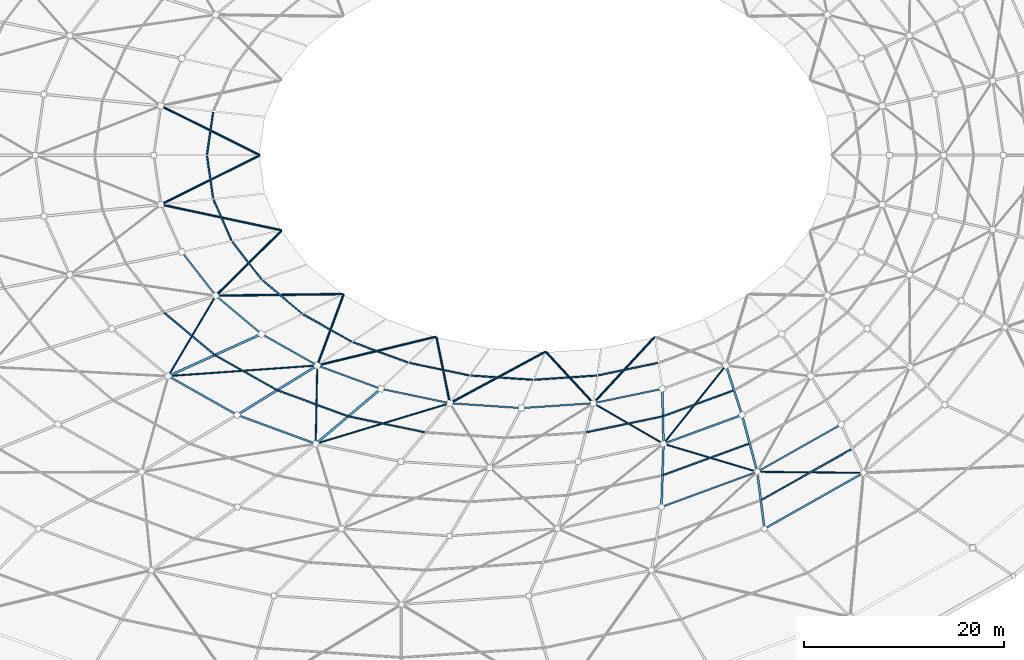
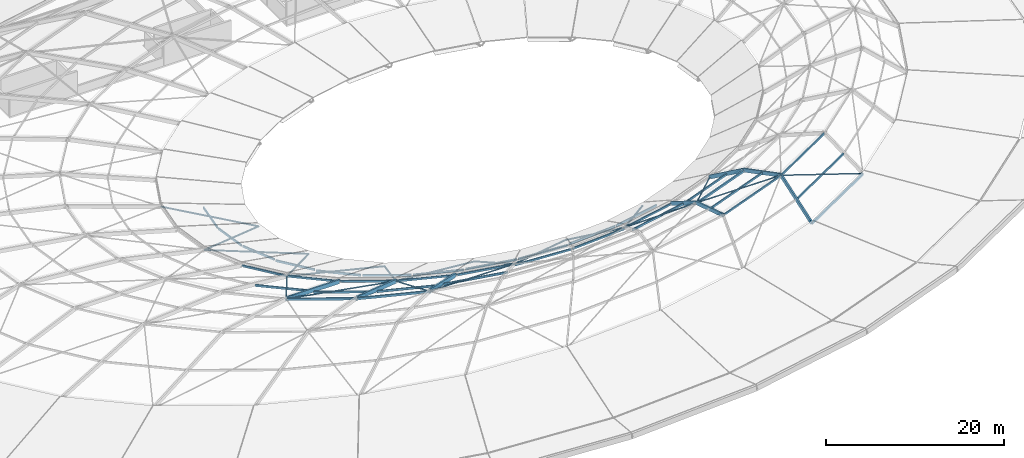
# One storey, part 4 of 30: 60 members.
"""IFC4 building model written with IfcOpenShell, lengths in metres."""

from ifc_helpers import new_model, si_unit, direction, frame, origin, origin_2d, place, context, subcontext, project, spatial, rectangle, hollow_rectangle, hollow_circle, extrude, material, material_profile, profile_set, type_object, element, save


model = new_model("IFC4")

# Units and contexts
model_context = context("Model", 3, precision=1e-05, world=origin(), true_north=direction((0.0, 1.0)))
body_context = subcontext(model_context, "Body", "Model", "MODEL_VIEW")
ifc_project = project(units=[si_unit("LENGTHUNIT", "METRE"), si_unit("AREAUNIT", "SQUARE_METRE"), si_unit("VOLUMEUNIT", "CUBIC_METRE"), si_unit("PLANEANGLEUNIT", "RADIAN"), si_unit("MASSUNIT", "GRAM", prefix="KILO")], contexts=[model_context])

# Site, building, storey
site_placement = place(None, origin())
site = spatial("IfcSite", under=ifc_project, at=site_placement, CompositionType="ELEMENT")
building_placement = place(site_placement, origin())
building = spatial("IfcBuilding", under=site, at=building_placement, Name="Namkhue Oval Health Centre", CompositionType="ELEMENT")
storey_placement = place(building_placement, frame((0.0, 0.0, 26.39990234375)))
storey = spatial("IfcBuildingStorey", under=building, at=storey_placement, Name="RF", CompositionType="ELEMENT", Elevation=26.39990234375)

# Members
ifc_material_1 = material(Name="Structural steel EN 10025-2 S355JR (TCVN 5575:2024)", Category="steel")
ifc_material_profile_1 = material_profile(ifc_material_1, hollow_circle(Radius=0.084228515625, WallThickness=0.008056640625, at=origin_2d()), Name="CHS 168.3x8")
ifc_profile_set_1 = profile_set([ifc_material_profile_1], Name="Structural steel EN 10025-2 S355JR (TCVN 5575:2024)")
member_type_1 = type_object("IfcMemberType", Name="DIAGONAL BRACE CHS 168", PredefinedType="BRACE", material=ifc_profile_set_1)
member_1_placement = place(storey_placement, frame((132.497314453125, 27.688720703125, 3.789306640625), z_axis=(-0.952219233501, 0.009190709665, 0.30527702535), x_axis=(-0.009651434537, -0.999953423821, 0.0)))
element("IfcMember", 1, at=member_1_placement, inside=storey, type_object=member_type_1, Name="Gridshell Diagonal Brace K2-28", PredefinedType="BRACE", context=body_context, shape_type="SweptSolid", body=[
    extrude(hollow_circle(Radius=0.084228515625, WallThickness=0.008056640625, at=origin_2d()), origin(), (0.0, 0.0, 1.0), 11.0771484375),
])
member_2_placement = place(storey_placement, frame((121.892822265625, 27.79931640625, 7.173583984375), z_axis=(-0.934735197728, 0.279331775994, -0.219644870299), x_axis=(-0.286323834173, -0.958132904134, 0.0)))
element("IfcMember", 2, at=member_2_placement, inside=storey, type_object=member_type_1, Name="Gridshell Diagonal Brace K3-27", PredefinedType="BRACE", context=body_context, shape_type="SweptSolid", body=[
    extrude(hollow_circle(Radius=0.084228515625, WallThickness=0.008056640625, at=origin_2d()), origin(), (0.0, 0.0, 1.0), 9.955810546875),
])
member_3_placement = place(storey_placement, frame((63.139892578125, 37.373046875, 4.9697265625), z_axis=(0.477955197991, 0.808803464412, -0.342630682614), x_axis=(-0.860914463664, 0.508749728505, 0.0)))
element("IfcMember", 3, at=member_3_placement, inside=storey, type_object=member_type_1, Name="Gridshell Diagonal Brace K4-20", PredefinedType="BRACE", context=body_context, shape_type="SweptSolid", body=[
    extrude(hollow_circle(Radius=0.084228515625, WallThickness=0.008056640625, at=origin_2d()), origin(), (0.0, 0.0, 1.0), 9.863037109375),
])
member_4_placement = place(storey_placement, frame((63.15478515625, 37.35107421875, 4.973388671875), z_axis=(0.972510561713, 0.069343701808, -0.222294080837), x_axis=(-0.071123229027, 0.997467536461, 0.0)))
element("IfcMember", 4, at=member_4_placement, inside=storey, type_object=member_type_1, Name="Gridshell Diagonal Brace K4-21", PredefinedType="BRACE", context=body_context, shape_type="SweptSolid", body=[
    extrude(hollow_circle(Radius=0.084228515625, WallThickness=0.008056640625, at=origin_2d()), origin(), (0.0, 0.0, 1.0), 15.234130859375),
])
member_5_placement = place(storey_placement, frame((77.842041015625, 30.6162109375, 4.968017578125), z_axis=(0.018506450349, 0.916934079653, -0.39860933866), x_axis=(-0.999796386125, 0.020178857553, 0.0)))
element("IfcMember", 5, at=member_5_placement, inside=storey, type_object=member_type_1, Name="Gridshell Diagonal Brace K4-22", PredefinedType="BRACE", context=body_context, shape_type="SweptSolid", body=[
    extrude(hollow_circle(Radius=0.084228515625, WallThickness=0.008056640625, at=origin_2d()), origin(), (0.0, 0.0, 1.0), 8.469482421875),
])
member_6_placement = place(storey_placement, frame((77.869384765625, 30.597412109375, 4.972900390625), z_axis=(0.930125798411, 0.281300193879, -0.236085154243), x_axis=(-0.289483197646, 0.957183095484, 0.0)))
element("IfcMember", 6, at=member_6_placement, inside=storey, type_object=member_type_1, Name="Gridshell Diagonal Brace K4-23", PredefinedType="BRACE", context=body_context, shape_type="SweptSolid", body=[
    extrude(hollow_circle(Radius=0.084228515625, WallThickness=0.008056640625, at=origin_2d()), origin(), (0.0, 0.0, 1.0), 14.34130859375),
])
member_7_placement = place(storey_placement, frame((112.53466796875, 30.602783203125, 4.968505859375), z_axis=(-0.797658632058, 0.461972035014, -0.387714515551), x_axis=(-0.501174123411, -0.865346461265, 0.0)))
element("IfcMember", 7, at=member_7_placement, inside=storey, type_object=member_type_1, Name="Gridshell Diagonal Brace K4-26", PredefinedType="BRACE", context=body_context, shape_type="SweptSolid", body=[
    extrude(hollow_circle(Radius=0.084228515625, WallThickness=0.008056640625, at=origin_2d()), origin(), (0.0, 0.0, 1.0), 8.709228515625),
])
member_8_placement = place(storey_placement, frame((112.576171875, 30.611083984375, 4.970458984375), z_axis=(0.590649952066, 0.740020125216, -0.321718585723), x_axis=(-0.781572146563, 0.623814860128, 0.0)))
element("IfcMember", 8, at=member_8_placement, inside=storey, type_object=member_type_1, Name="Gridshell Diagonal Brace K4-27", PredefinedType="BRACE", context=body_context, shape_type="SweptSolid", body=[
    extrude(hollow_circle(Radius=0.084228515625, WallThickness=0.008056640625, at=origin_2d()), origin(), (0.0, 0.0, 1.0), 10.508056640625),
])
ifc_material_profile_2 = material_profile(ifc_material_1, hollow_circle(Radius=0.109619140625, WallThickness=0.010009765625, at=origin_2d()), Name="CHS 219.1x10")
ifc_profile_set_2 = profile_set([ifc_material_profile_2], Name="Structural steel EN 10025-2 S355JR (TCVN 5575:2024)")
member_type_2 = type_object("IfcMemberType", Name="DIAGONAL BRACE CHS 219", PredefinedType="BRACE", material=ifc_profile_set_2)
for number, where, z_axis, x_axis, name in (
    (9, (62.411376953125, 64.312255859375, 1.57177734375), (0.860090732978, -0.42777518227, -0.2779430238), (0.445321953054, 0.89537051444, 0.0), "Gridshell Diagonal Brace K5-16"),
    (10, (62.411376953125, 54.48779296875, 1.57177734375), (0.860090732978, 0.42777518227, -0.2779430238), (-0.445321953054, 0.89537051444, 0.0), "Gridshell Diagonal Brace K5-17"),
):
    element("IfcMember", number, at=place(storey_placement, frame(where, z_axis=z_axis, x_axis=x_axis)), inside=storey, type_object=member_type_2, Name=name, PredefinedType="BRACE", context=body_context, shape_type="SweptSolid", body=[
        extrude(hollow_circle(Radius=0.109619140625, WallThickness=0.010009765625, at=origin_2d()), origin(), (0.0, 0.0, 1.0), 11.453125),
    ])
member_9_placement = place(storey_placement, frame((62.4140625, 54.468994140625, 1.572509765625), z_axis=(0.946691185803, -0.202025672522, -0.250921155674), x_axis=(0.20870258417, 0.977979156915, 0.0)))
element("IfcMember", 11, at=member_9_placement, inside=storey, type_object=member_type_2, Name="Gridshell Diagonal Brace K5-18", PredefinedType="BRACE", context=body_context, shape_type="SweptSolid", body=[
    extrude(hollow_circle(Radius=0.109619140625, WallThickness=0.010009765625, at=origin_2d()), origin(), (0.0, 0.0, 1.0), 12.6923828125),
])
member_10_placement = place(storey_placement, frame((67.888671875, 45.39453125, 1.5703125), z_axis=(0.671773589143, 0.665062614308, -0.326208467058), x_axis=(-0.703548210003, 0.71064753303, 0.0)))
element("IfcMember", 12, at=member_10_placement, inside=storey, type_object=member_type_2, Name="Gridshell Diagonal Brace K5-19", PredefinedType="BRACE", context=body_context, shape_type="SweptSolid", body=[
    extrude(hollow_circle(Radius=0.109619140625, WallThickness=0.010009765625, at=origin_2d()), origin(), (0.0, 0.0, 1.0), 9.749755859375),
])
member_11_placement = place(storey_placement, frame((67.8974609375, 45.375, 1.57275390625), z_axis=(0.969937280687, 0.012499095743, -0.243033833323), x_axis=(-0.012885429099, 0.999916979412, 0.0)))
element("IfcMember", 13, at=member_11_placement, inside=storey, type_object=member_type_2, Name="Gridshell Diagonal Brace K5-20", PredefinedType="BRACE", context=body_context, shape_type="SweptSolid", body=[
    extrude(hollow_circle(Radius=0.109619140625, WallThickness=0.010009765625, at=origin_2d()), origin(), (0.0, 0.0, 1.0), 13.1064453125),
])
member_12_placement = place(storey_placement, frame((78.009033203125, 38.435546875, 1.568603515625), z_axis=(0.319994309193, 0.86433942214, -0.387970366676), x_axis=(-0.937795186464, 0.347188980591, 0.0)))
element("IfcMember", 14, at=member_12_placement, inside=storey, type_object=member_type_2, Name="Gridshell Diagonal Brace K5-21", PredefinedType="BRACE", context=body_context, shape_type="SweptSolid", body=[
    extrude(hollow_circle(Radius=0.109619140625, WallThickness=0.010009765625, at=origin_2d()), origin(), (0.0, 0.0, 1.0), 8.188720703125),
])
member_13_placement = place(storey_placement, frame((78.027587890625, 38.41650390625, 1.572509765625), z_axis=(0.94025034031, 0.227787808367, -0.253065232511), x_axis=(-0.235451953745, 0.971885989959, 0.0)))
element("IfcMember", 15, at=member_13_placement, inside=storey, type_object=member_type_2, Name="Gridshell Diagonal Brace K5-22", PredefinedType="BRACE", context=body_context, shape_type="SweptSolid", body=[
    extrude(hollow_circle(Radius=0.109619140625, WallThickness=0.010009765625, at=origin_2d()), origin(), (0.0, 0.0, 1.0), 12.5849609375),
])
member_14_placement = place(storey_placement, frame((91.23095703125, 34.666748046875, 1.5673828125), z_axis=(-0.179615966387, 0.886433499868, -0.426583819348), x_axis=(-0.98008229015, -0.198591803796, 0.0)))
element("IfcMember", 16, at=member_14_placement, inside=storey, type_object=member_type_2, Name="Gridshell Diagonal Brace K5-23", PredefinedType="BRACE", context=body_context, shape_type="SweptSolid", body=[
    extrude(hollow_circle(Radius=0.109619140625, WallThickness=0.010009765625, at=origin_2d()), origin(), (0.0, 0.0, 1.0), 7.44189453125),
])
member_15_placement = place(storey_placement, frame((91.26171875, 34.65380859375, 1.571533203125), z_axis=(0.844311968521, 0.45534124744, -0.282491855091), x_axis=(-0.474674899883, 0.880161200816, 0.0)))
element("IfcMember", 17, at=member_15_placement, inside=storey, type_object=member_type_2, Name="Gridshell Diagonal Brace K5-24", PredefinedType="BRACE", context=body_context, shape_type="SweptSolid", body=[
    extrude(hollow_circle(Radius=0.109619140625, WallThickness=0.010009765625, at=origin_2d()), origin(), (0.0, 0.0, 1.0), 11.26708984375),
])
member_16_placement = place(storey_placement, frame((105.545166015625, 34.66015625, 1.567626953125), z_axis=(-0.617379750339, 0.668466649101, -0.414722296134), x_axis=(-0.734620689477, -0.678478033979, 0.0)))
element("IfcMember", 18, at=member_16_placement, inside=storey, type_object=member_type_2, Name="Gridshell Diagonal Brace K5-25", PredefinedType="BRACE", context=body_context, shape_type="SweptSolid", body=[
    extrude(hollow_circle(Radius=0.109619140625, WallThickness=0.010009765625, at=origin_2d()), origin(), (0.0, 0.0, 1.0), 7.65576171875),
])
member_17_placement = place(storey_placement, frame((105.5830078125, 34.660888671875, 1.570068359375), z_axis=(0.640028871218, 0.692362780198, -0.333161859468), x_axis=(-0.734314420642, 0.678809495836, 0.0)))
element("IfcMember", 19, at=member_17_placement, inside=storey, type_object=member_type_2, Name="Gridshell Diagonal Brace K5-26", PredefinedType="BRACE", context=body_context, shape_type="SweptSolid", body=[
    extrude(hollow_circle(Radius=0.109619140625, WallThickness=0.010009765625, at=origin_2d()), origin(), (0.0, 0.0, 1.0), 9.544677734375),
])
ifc_material_2 = material(Name="Glulam timber GL28h", Category="wood")
ifc_material_profile_3 = material_profile(ifc_material_2, rectangle(XDim=0.199951171875, YDim=0.47998046875, at=origin_2d()), Name="GL28h 200x480")
ifc_profile_set_3 = profile_set([ifc_material_profile_3], Name="Glulam timber GL28h")
member_type_3 = type_object("IfcMemberType", Name="GRIDSHELL ARCH RIB GL28H 200X480", PredefinedType="USERDEFINED", material=ifc_profile_set_3)
member_18_placement = place(storey_placement, frame((112.36083984375, 24.27783203125, 7.2001953125), z_axis=(0.029575150119, 0.943848926635, -0.329050929471), x_axis=(-0.999509431928, 0.031319251058, 0.0)))
element("IfcMember", 20, at=member_18_placement, inside=storey, type_object=member_type_3, Name="Gridshell Glulam Arch Rib K3-27", ObjectType="ARCH_SEGMENT", PredefinedType="USERDEFINED", context=body_context, shape_type="SweptSolid", body=[
    extrude(rectangle(XDim=0.199951171875, YDim=0.47998046875, at=origin_2d()), origin(), (0.0, 0.0, 1.0), 6.6865234375),
])
member_19_placement = place(storey_placement, frame((112.55859375, 30.5888671875, 5.0), z_axis=(-0.016486506023, 0.849962574262, -0.526585052459), x_axis=(-0.999811936236, -0.019393095658, 0.0)))
element("IfcMember", 21, at=member_19_placement, inside=storey, type_object=member_type_3, Name="Gridshell Glulam Arch Rib K4-27", ObjectType="ARCH_SEGMENT", PredefinedType="USERDEFINED", context=body_context, shape_type="SweptSolid", body=[
    extrude(rectangle(XDim=0.199951171875, YDim=0.47998046875, at=origin_2d()), origin(), (0.0, 0.0, 1.0), 6.45654296875),
])
member_20_placement = place(storey_placement, frame((122.640869140625, 22.111083984375, 3.800048828125), z_axis=(-0.108124914196, 0.852973212568, 0.51063264836), x_axis=(-0.992061197145, -0.125756038101, 0.0)))
element("IfcMember", 22, at=member_20_placement, inside=storey, type_object=member_type_3, Name="Gridshell Glulam Arch Rib K2-28", ObjectType="ARCH_SEGMENT", PredefinedType="USERDEFINED", context=body_context, shape_type="SweptSolid", body=[
    extrude(rectangle(XDim=0.199951171875, YDim=0.47998046875, at=origin_2d()), origin(), (0.0, 0.0, 1.0), 6.65869140625),
])
member_21_placement = place(storey_placement, frame((121.9208984375, 27.790771484375, 7.2001953125), z_axis=(-0.242156092396, 0.904731249332, -0.350459403352), x_axis=(-0.965996770505, -0.258554132385, 0.0)))
element("IfcMember", 23, at=member_21_placement, inside=storey, type_object=member_type_3, Name="Gridshell Glulam Arch Rib K3-28", ObjectType="ARCH_SEGMENT", PredefinedType="USERDEFINED", context=body_context, shape_type="SweptSolid", body=[
    extrude(rectangle(XDim=0.199951171875, YDim=0.47998046875, at=origin_2d()), origin(), (0.0, 0.0, 1.0), 6.278076171875),
])
member_22_placement = place(storey_placement, frame((120.400634765625, 33.470703125, 5.0), z_axis=(-0.257835485953, 0.79585167544, -0.547851232436), x_axis=(-0.951320489233, -0.30820338539, 0.0)))
element("IfcMember", 24, at=member_22_placement, inside=storey, type_object=member_type_3, Name="Gridshell Glulam Arch Rib K4-28", ObjectType="ARCH_SEGMENT", PredefinedType="USERDEFINED", context=body_context, shape_type="SweptSolid", body=[
    extrude(rectangle(XDim=0.199951171875, YDim=0.47998046875, at=origin_2d()), origin(), (0.0, 0.0, 1.0), 6.205810546875),
])
ifc_material_profile_4 = material_profile(ifc_material_2, rectangle(XDim=0.219970703125, YDim=0.52001953125, at=origin_2d()), Name="GL28h 220x520")
ifc_profile_set_4 = profile_set([ifc_material_profile_4], Name="Glulam timber GL28h")
member_type_4 = type_object("IfcMemberType", Name="GRIDSHELL ARCH RIB GL28H 220X520", PredefinedType="USERDEFINED", material=ifc_profile_set_4)
member_23_placement = place(storey_placement, frame((63.125732421875, 37.348876953125, 5.0), z_axis=(0.864854389801, 0.390206260579, -0.315857497374), x_axis=(-0.411260043784, 0.91151806147, 0.0)))
element("IfcMember", 25, at=member_23_placement, inside=storey, type_object=member_type_4, Name="Gridshell Glulam Arch Rib K4-21", ObjectType="ARCH_SEGMENT", PredefinedType="USERDEFINED", context=body_context, shape_type="SweptSolid", body=[
    extrude(rectangle(XDim=0.219970703125, YDim=0.52001953125, at=origin_2d()), origin(), (0.0, 0.0, 1.0), 10.76416015625),
])
member_24_placement = place(storey_placement, frame((69.999267578125, 33.470703125, 5.0), z_axis=(0.800198011908, 0.494003655311, -0.340064009089), x_axis=(-0.525310986388, 0.850910317002, 0.0)))
element("IfcMember", 26, at=member_24_placement, inside=storey, type_object=member_type_4, Name="Gridshell Glulam Arch Rib K4-22", ObjectType="ARCH_SEGMENT", PredefinedType="USERDEFINED", context=body_context, shape_type="SweptSolid", body=[
    extrude(rectangle(XDim=0.219970703125, YDim=0.52001953125, at=origin_2d()), origin(), (0.0, 0.0, 1.0), 9.997802734375),
])
member_25_placement = place(storey_placement, frame((77.841552734375, 30.5888671875, 5.0), z_axis=(0.709867909534, 0.598739619906, -0.370942608187), x_axis=(-0.64473793689, 0.764403684407, 0.0)))
element("IfcMember", 27, at=member_25_placement, inside=storey, type_object=member_type_4, Name="Gridshell Glulam Arch Rib K4-23", ObjectType="ARCH_SEGMENT", PredefinedType="USERDEFINED", context=body_context, shape_type="SweptSolid", body=[
    extrude(rectangle(XDim=0.219970703125, YDim=0.52001953125, at=origin_2d()), origin(), (0.0, 0.0, 1.0), 9.16552734375),
])
ifc_material_profile_5 = material_profile(ifc_material_1, hollow_rectangle(XDim=0.14990234375, YDim=0.25, WallThickness=0.008056640625, at=origin_2d()), Name="RHS 150x250x8")
ifc_profile_set_5 = profile_set([ifc_material_profile_5], Name="Structural steel EN 10025-2 S355JR (TCVN 5575:2024)")
member_type_5 = type_object("IfcMemberType", Name="GRIDSHELL HOOP PURLIN RHS 150X250", PredefinedType="PURLIN", material=ifc_profile_set_5)
member_26_placement = place(storey_placement, frame((112.417236328125, 24.298583984375, 7.16650390625), z_axis=(0.938629376029, 0.344927375624, 0.0), x_axis=(-0.344927375624, 0.938629376029, 0.0)))
element("IfcMember", 28, at=member_26_placement, inside=storey, type_object=member_type_5, Name="Gridshell Hoop Purlin K3-27", PredefinedType="PURLIN", context=body_context, shape_type="SweptSolid", body=[
    extrude(hollow_rectangle(XDim=0.14990234375, YDim=0.25, WallThickness=0.008056640625, at=origin_2d()), origin(), (0.0, 0.0, 1.0), 10.06494140625),
])
member_27_placement = place(storey_placement, frame((121.97314453125, 27.8203125, 7.1611328125), z_axis=(0.870935888809, 0.491396660127, 0.0), x_axis=(-0.491396660127, 0.870935888809, 0.0)))
element("IfcMember", 29, at=member_27_placement, inside=storey, type_object=member_type_5, Name="Gridshell Hoop Purlin K3-28", PredefinedType="PURLIN", context=body_context, shape_type="SweptSolid", body=[
    extrude(hollow_rectangle(XDim=0.14990234375, YDim=0.25, WallThickness=0.008056640625, at=origin_2d()), origin(), (0.0, 0.0, 1.0), 9.5009765625),
])
member_28_placement = place(storey_placement, frame((64.511962890625, 49.69189453125, 1.60009765625), z_axis=(0.613784343626, -0.789473735801, 0.0), x_axis=(0.789473735801, 0.613784343626, 0.0)))
element("IfcMember", 30, at=member_28_placement, inside=storey, type_object=member_type_5, Name="Gridshell Hoop Purlin K5-19", PredefinedType="PURLIN", context=body_context, shape_type="SweptSolid", body=[
    extrude(hollow_rectangle(XDim=0.14990234375, YDim=0.25, WallThickness=0.008056640625, at=origin_2d()), origin(), (0.0, 0.0, 1.0), 5.408447265625),
])
member_29_placement = place(storey_placement, frame((67.914306640625, 45.336181640625, 1.60009765625), z_axis=(0.766559432201, -0.642173369818, 0.0), x_axis=(0.642173369818, 0.766559432201, 0.0)))
element("IfcMember", 31, at=member_29_placement, inside=storey, type_object=member_type_5, Name="Gridshell Hoop Purlin K5-20", PredefinedType="PURLIN", context=body_context, shape_type="SweptSolid", body=[
    extrude(hollow_rectangle(XDim=0.14990234375, YDim=0.25, WallThickness=0.008056640625, at=origin_2d()), origin(), (0.0, 0.0, 1.0), 5.837158203125),
])
member_30_placement = place(storey_placement, frame((72.4873046875, 41.51953125, 1.593505859375), z_axis=(0.870938297401, -0.491392391191, 0.0), x_axis=(0.491392391191, 0.870938297401, 0.0)))
element("IfcMember", 32, at=member_30_placement, inside=storey, type_object=member_type_5, Name="Gridshell Hoop Purlin K5-21", PredefinedType="PURLIN", context=body_context, shape_type="SweptSolid", body=[
    extrude(hollow_rectangle(XDim=0.14990234375, YDim=0.25, WallThickness=0.008056640625, at=origin_2d()), origin(), (0.0, 0.0, 1.0), 6.26904296875),
])
member_31_placement = place(storey_placement, frame((78.055908203125, 38.388916015625, 1.58642578125), z_axis=(0.938627028123, -0.344933764769, 0.0), x_axis=(0.344933764769, 0.938627028123, 0.0)))
element("IfcMember", 33, at=member_31_placement, inside=storey, type_object=member_type_5, Name="Gridshell Hoop Purlin K5-22", PredefinedType="PURLIN", context=body_context, shape_type="SweptSolid", body=[
    extrude(hollow_rectangle(XDim=0.14990234375, YDim=0.25, WallThickness=0.008056640625, at=origin_2d()), origin(), (0.0, 0.0, 1.0), 6.643310546875),
])
member_32_placement = place(storey_placement, frame((84.406494140625, 36.064453125, 1.5791015625), z_axis=(0.978937524418, -0.204160043313, 0.0), x_axis=(0.204160043313, 0.978937524418, 0.0)))
element("IfcMember", 34, at=member_32_placement, inside=storey, type_object=member_type_5, Name="Gridshell Hoop Purlin K5-23", PredefinedType="PURLIN", context=body_context, shape_type="SweptSolid", body=[
    extrude(hollow_rectangle(XDim=0.14990234375, YDim=0.25, WallThickness=0.008056640625, at=origin_2d()), origin(), (0.0, 0.0, 1.0), 6.916748046875),
])
for number, where, z_axis, x_axis, name in (
    (35, (91.296142578125, 34.635986328125, 1.425537109375), (0.997716855891, -0.067535734769, 0.0), (0.067535734769, 0.997716855891, 0.0), "Gridshell Hoop Purlin K5-24"),
    (36, (98.4599609375, 34.1591796875, 1.436767578125), (0.997716855891, 0.067535734769, 0.0), (-0.067535734769, 0.997716855891, 0.0), "Gridshell Hoop Purlin K5-25"),
):
    element("IfcMember", number, at=place(storey_placement, frame(where, z_axis=z_axis, x_axis=x_axis)), inside=storey, type_object=member_type_5, Name=name, PredefinedType="PURLIN", context=body_context, shape_type="SweptSolid", body=[
        extrude(hollow_rectangle(XDim=0.14990234375, YDim=0.25, WallThickness=0.008056640625, at=origin_2d()), origin(), (0.0, 0.0, 1.0), 7.06005859375),
    ])
member_33_placement = place(storey_placement, frame((105.62255859375, 34.65234375, 1.556640625), z_axis=(0.978936053101, 0.204167098083, 0.0), x_axis=(-0.204167098083, 0.978936053101, 0.0)))
element("IfcMember", 37, at=member_33_placement, inside=storey, type_object=member_type_5, Name="Gridshell Hoop Purlin K5-26", PredefinedType="PURLIN", context=body_context, shape_type="SweptSolid", body=[
    extrude(hollow_rectangle(XDim=0.14990234375, YDim=0.25, WallThickness=0.008056640625, at=origin_2d()), origin(), (0.0, 0.0, 1.0), 6.91650390625),
])
ifc_material_profile_6 = material_profile(ifc_material_1, hollow_rectangle(XDim=0.179931640625, YDim=0.300048828125, WallThickness=0.010009765625, at=origin_2d()), Name="RHS 180x300x10")
ifc_profile_set_6 = profile_set([ifc_material_profile_6], Name="Structural steel EN 10025-2 S355JR (TCVN 5575:2024)")
member_type_6 = type_object("IfcMemberType", Name="GRIDSHELL HOOP PURLIN RHS 180X300", PredefinedType="PURLIN", material=ifc_profile_set_6)
member_34_placement = place(storey_placement, frame((122.693115234375, 22.140625, 3.730224609375), z_axis=(0.870936718955, 0.4913951888, 0.0), x_axis=(-0.4913951888, 0.870936718955, 0.0)))
element("IfcMember", 38, at=member_34_placement, inside=storey, type_object=member_type_6, Name="Gridshell Hoop Purlin K2-28", PredefinedType="PURLIN", context=body_context, shape_type="SweptSolid", body=[
    extrude(hollow_rectangle(XDim=0.179931640625, YDim=0.300048828125, WallThickness=0.010009765625, at=origin_2d()), origin(), (0.0, 0.0, 1.0), 11.22998046875),
])
member_35_placement = place(storey_placement, frame((63.177978515625, 37.3193359375, 4.96533203125), z_axis=(0.870928830788, -0.49140916933, 0.0), x_axis=(0.49140916933, 0.870928830788, 0.0)))
element("IfcMember", 39, at=member_35_placement, inside=storey, type_object=member_type_6, Name="Gridshell Hoop Purlin K4-21", PredefinedType="PURLIN", context=body_context, shape_type="SweptSolid", body=[
    extrude(hollow_rectangle(XDim=0.179931640625, YDim=0.300048828125, WallThickness=0.010009765625, at=origin_2d()), origin(), (0.0, 0.0, 1.0), 7.772216796875),
])
for number, where, z_axis, x_axis, name in (
    (40, (70.0556640625, 33.449951171875, 4.957275390625), (0.938633328907, -0.344916618714, 0.0), (0.344916618714, 0.938633328907, 0.0), "Gridshell Hoop Purlin K4-22"),
    (41, (112.61474609375, 30.609619140625, 4.91357421875), (0.938633328907, 0.344916618714, 0.0), (-0.344916618714, 0.938633328907, 0.0), "Gridshell Hoop Purlin K4-27"),
):
    element("IfcMember", number, at=place(storey_placement, frame(where, z_axis=z_axis, x_axis=x_axis)), inside=storey, type_object=member_type_6, Name=name, PredefinedType="PURLIN", context=body_context, shape_type="SweptSolid", body=[
        extrude(hollow_rectangle(XDim=0.179931640625, YDim=0.300048828125, WallThickness=0.010009765625, at=origin_2d()), origin(), (0.0, 0.0, 1.0), 8.23486328125),
    ])
ifc_material_profile_7 = material_profile(ifc_material_2, rectangle(XDim=0.139892578125, YDim=0.280029296875, at=origin_2d()), Name="GL28h 140x280")
ifc_profile_set_7 = profile_set([ifc_material_profile_7], Name="Glulam timber GL28h")
member_type_7 = type_object("IfcMemberType", Name="GRIDSHELL SUB PURLIN GL28H 140X280", PredefinedType="PURLIN", material=ifc_profile_set_7)
member_36_placement = place(storey_placement, frame((122.3505859375, 24.990234375, 5.451171875), z_axis=(0.870935138225, 0.491397990437, 0.0), x_axis=(-0.491397990437, 0.870935138225, 0.0)))
element("IfcMember", 42, at=member_36_placement, inside=storey, type_object=member_type_7, Name="Gridshell Secondary Purlin K2-28", PredefinedType="PURLIN", context=body_context, shape_type="SweptSolid", body=[
    extrude(rectangle(XDim=0.139892578125, YDim=0.280029296875, at=origin_2d()), origin(), (0.0, 0.0, 1.0), 10.32568359375),
])
member_37_placement = place(storey_placement, frame((112.534912109375, 27.4609375, 6.084716796875), z_axis=(0.938634703535, 0.344912877869, 0.0), x_axis=(-0.344912877869, 0.938634703535, 0.0)))
element("IfcMember", 43, at=member_37_placement, inside=storey, type_object=member_type_7, Name="Gridshell Secondary Purlin K3-27", PredefinedType="PURLIN", context=body_context, shape_type="SweptSolid", body=[
    extrude(rectangle(XDim=0.139892578125, YDim=0.280029296875, at=origin_2d()), origin(), (0.0, 0.0, 1.0), 9.10986328125),
])
member_38_placement = place(storey_placement, frame((62.73779296875, 43.673095703125, 3.158203125), z_axis=(0.766583463161, -0.64214468308, 0.0), x_axis=(0.64214468308, 0.766583463161, 0.0)))
element("IfcMember", 44, at=member_38_placement, inside=storey, type_object=member_type_7, Name="Gridshell Secondary Purlin K4-20", PredefinedType="PURLIN", context=body_context, shape_type="SweptSolid", body=[
    extrude(rectangle(XDim=0.139892578125, YDim=0.280029296875, at=origin_2d()), origin(), (0.0, 0.0, 1.0), 6.497802734375),
])
member_39_placement = place(storey_placement, frame((67.85009765625, 39.40966796875, 3.01611328125), z_axis=(0.870937786057, -0.49139329749, 0.0), x_axis=(0.49139329749, 0.870937786057, 0.0)))
element("IfcMember", 45, at=member_39_placement, inside=storey, type_object=member_type_7, Name="Gridshell Secondary Purlin K4-21", PredefinedType="PURLIN", context=body_context, shape_type="SweptSolid", body=[
    extrude(rectangle(XDim=0.139892578125, YDim=0.280029296875, at=origin_2d()), origin(), (0.0, 0.0, 1.0), 6.98046875),
])
member_40_placement = place(storey_placement, frame((74.074462890625, 35.91259765625, 3.033447265625), z_axis=(0.938626161484, -0.344936123041, 0.0), x_axis=(0.344936123041, 0.938626161484, 0.0)))
element("IfcMember", 46, at=member_40_placement, inside=storey, type_object=member_type_7, Name="Gridshell Secondary Purlin K4-22", PredefinedType="PURLIN", context=body_context, shape_type="SweptSolid", body=[
    extrude(rectangle(XDim=0.139892578125, YDim=0.280029296875, at=origin_2d()), origin(), (0.0, 0.0, 1.0), 7.399169921875),
])
member_41_placement = place(storey_placement, frame((81.173095703125, 33.31640625, 3.1123046875), z_axis=(0.978935050288, -0.204171906287, 0.0), x_axis=(0.204171906287, 0.978935050288, 0.0)))
element("IfcMember", 47, at=member_41_placement, inside=storey, type_object=member_type_7, Name="Gridshell Secondary Purlin K4-23", PredefinedType="PURLIN", context=body_context, shape_type="SweptSolid", body=[
    extrude(rectangle(XDim=0.139892578125, YDim=0.280029296875, at=origin_2d()), origin(), (0.0, 0.0, 1.0), 7.704345703125),
])
member_42_placement = place(storey_placement, frame((104.884765625, 31.743408203125, 3.25), z_axis=(0.978936371218, 0.204165572776, 0.0), x_axis=(-0.204165572776, 0.978936371218, 0.0)))
element("IfcMember", 48, at=member_42_placement, inside=storey, type_object=member_type_7, Name="Gridshell Secondary Purlin K4-26", PredefinedType="PURLIN", context=body_context, shape_type="SweptSolid", body=[
    extrude(rectangle(XDim=0.139892578125, YDim=0.280029296875, at=origin_2d()), origin(), (0.0, 0.0, 1.0), 7.70458984375),
])
member_43_placement = place(storey_placement, frame((112.580322265625, 33.3603515625, 3.23681640625), z_axis=(0.938626161484, 0.344936123041, 0.0), x_axis=(-0.344936123041, 0.938626161484, 0.0)))
element("IfcMember", 49, at=member_43_placement, inside=storey, type_object=member_type_7, Name="Gridshell Secondary Purlin K4-27", PredefinedType="PURLIN", context=body_context, shape_type="SweptSolid", body=[
    extrude(rectangle(XDim=0.139892578125, YDim=0.280029296875, at=origin_2d()), origin(), (0.0, 0.0, 1.0), 7.399169921875),
])
member_44_placement = place(storey_placement, frame((67.599365234375, 63.6953125, -0.008056640625), z_axis=(-0.14181457385, -0.989893240023, 0.0), x_axis=(0.989893240023, -0.14181457385, 0.0)))
element("IfcMember", 50, at=member_44_placement, inside=storey, type_object=member_type_7, Name="Gridshell Secondary Purlin K5-16", PredefinedType="PURLIN", context=body_context, shape_type="SweptSolid", body=[
    extrude(rectangle(XDim=0.139892578125, YDim=0.280029296875, at=origin_2d()), origin(), (0.0, 0.0, 1.0), 4.259033203125),
])
member_45_placement = place(storey_placement, frame((66.995361328125, 59.32080078125, -0.008056640625), z_axis=(0.141806527369, -0.989894392749, 0.0), x_axis=(0.989894392749, 0.141806527369, 0.0)))
element("IfcMember", 51, at=member_45_placement, inside=storey, type_object=member_type_7, Name="Gridshell Secondary Purlin K5-17", PredefinedType="PURLIN", context=body_context, shape_type="SweptSolid", body=[
    extrude(rectangle(XDim=0.139892578125, YDim=0.280029296875, at=origin_2d()), origin(), (0.0, 0.0, 1.0), 4.25927734375),
])
member_46_placement = place(storey_placement, frame((67.64306640625, 54.9521484375, -0.01171875), z_axis=(0.403697092719, -0.914892702633, 0.0), x_axis=(0.914892702633, 0.403697092719, 0.0)))
element("IfcMember", 52, at=member_46_placement, inside=storey, type_object=member_type_7, Name="Gridshell Secondary Purlin K5-18", PredefinedType="PURLIN", context=body_context, shape_type="SweptSolid", body=[
    extrude(rectangle(XDim=0.139892578125, YDim=0.280029296875, at=origin_2d()), origin(), (0.0, 0.0, 1.0), 4.437744140625),
])
member_47_placement = place(storey_placement, frame((69.515869140625, 50.755615234375, -0.112548828125), z_axis=(0.61379828175, -0.789462899268, 0.0), x_axis=(0.789462899268, 0.61379828175, 0.0)))
element("IfcMember", 53, at=member_47_placement, inside=storey, type_object=member_type_7, Name="Gridshell Secondary Purlin K5-19", PredefinedType="PURLIN", context=body_context, shape_type="SweptSolid", body=[
    extrude(rectangle(XDim=0.139892578125, YDim=0.280029296875, at=origin_2d()), origin(), (0.0, 0.0, 1.0), 4.75048828125),
])
member_48_placement = place(storey_placement, frame((72.5419921875, 46.890869140625, -0.22119140625), z_axis=(0.766573018358, -0.642157151736, 0.0), x_axis=(0.642157151736, 0.766573018358, 0.0)))
element("IfcMember", 54, at=member_48_placement, inside=storey, type_object=member_type_7, Name="Gridshell Secondary Purlin K5-20", PredefinedType="PURLIN", context=body_context, shape_type="SweptSolid", body=[
    extrude(rectangle(XDim=0.139892578125, YDim=0.280029296875, at=origin_2d()), origin(), (0.0, 0.0, 1.0), 5.13134765625),
])
member_49_placement = place(storey_placement, frame((76.606689453125, 43.5048828125, -0.236328125), z_axis=(0.870943492116, -0.491383184024, 0.0), x_axis=(0.491383184024, 0.870943492116, 0.0)))
element("IfcMember", 55, at=member_49_placement, inside=storey, type_object=member_type_7, Name="Gridshell Secondary Purlin K5-21", PredefinedType="PURLIN", context=body_context, shape_type="SweptSolid", body=[
    extrude(rectangle(XDim=0.139892578125, YDim=0.280029296875, at=origin_2d()), origin(), (0.0, 0.0, 1.0), 5.514892578125),
])
member_50_placement = place(storey_placement, frame((81.5546875, 40.727783203125, -0.224365234375), z_axis=(0.938633625212, -0.344915812369, 0.0), x_axis=(0.344915812369, 0.938633625212, 0.0)))
element("IfcMember", 56, at=member_50_placement, inside=storey, type_object=member_type_7, Name="Gridshell Secondary Purlin K5-22", PredefinedType="PURLIN", context=body_context, shape_type="SweptSolid", body=[
    extrude(rectangle(XDim=0.139892578125, YDim=0.280029296875, at=origin_2d()), origin(), (0.0, 0.0, 1.0), 5.847412109375),
])
member_51_placement = place(storey_placement, frame((87.19677734375, 38.6669921875, -0.1572265625), z_axis=(0.978936374071, -0.204165559097, 0.0), x_axis=(0.204165559097, 0.978936374071, 0.0)))
element("IfcMember", 57, at=member_51_placement, inside=storey, type_object=member_type_7, Name="Gridshell Secondary Purlin K5-23", PredefinedType="PURLIN", context=body_context, shape_type="SweptSolid", body=[
    extrude(rectangle(XDim=0.139892578125, YDim=0.280029296875, at=origin_2d()), origin(), (0.0, 0.0, 1.0), 6.090087890625),
])
member_52_placement = place(storey_placement, frame((93.31689453125, 37.402099609375, -0.14697265625), z_axis=(0.997714056718, -0.067577074722, 0.0), x_axis=(0.067577074722, 0.997714056718, 0.0)))
element("IfcMember", 58, at=member_52_placement, inside=storey, type_object=member_type_7, Name="Gridshell Secondary Purlin K5-24", PredefinedType="PURLIN", context=body_context, shape_type="SweptSolid", body=[
    extrude(rectangle(XDim=0.139892578125, YDim=0.280029296875, at=origin_2d()), origin(), (0.0, 0.0, 1.0), 6.217529296875),
])
member_53_placement = place(storey_placement, frame((99.6796875, 36.98193359375, -0.05224609375), z_axis=(0.997714236022, 0.067574427398, 0.0), x_axis=(-0.067574427398, 0.997714236022, 0.0)))
element("IfcMember", 59, at=member_53_placement, inside=storey, type_object=member_type_7, Name="Gridshell Secondary Purlin K5-25", PredefinedType="PURLIN", context=body_context, shape_type="SweptSolid", body=[
    extrude(rectangle(XDim=0.139892578125, YDim=0.280029296875, at=origin_2d()), origin(), (0.0, 0.0, 1.0), 6.2177734375),
])
member_54_placement = place(storey_placement, frame((106.04150390625, 37.423583984375, -0.054931640625), z_axis=(0.978936374071, 0.204165559097, 0.0), x_axis=(-0.204165559097, 0.978936374071, 0.0)))
element("IfcMember", 60, at=member_54_placement, inside=storey, type_object=member_type_7, Name="Gridshell Secondary Purlin K5-26", PredefinedType="PURLIN", context=body_context, shape_type="SweptSolid", body=[
    extrude(rectangle(XDim=0.139892578125, YDim=0.280029296875, at=origin_2d()), origin(), (0.0, 0.0, 1.0), 6.090087890625),
])

save(model, "model.ifc")
